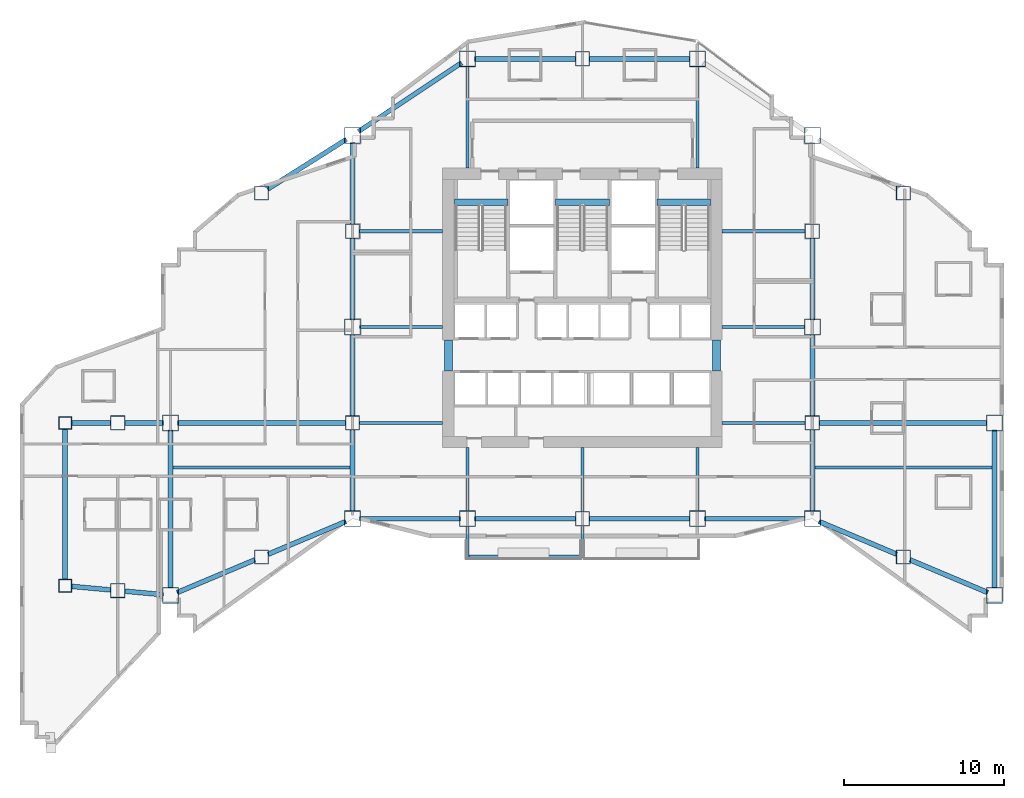
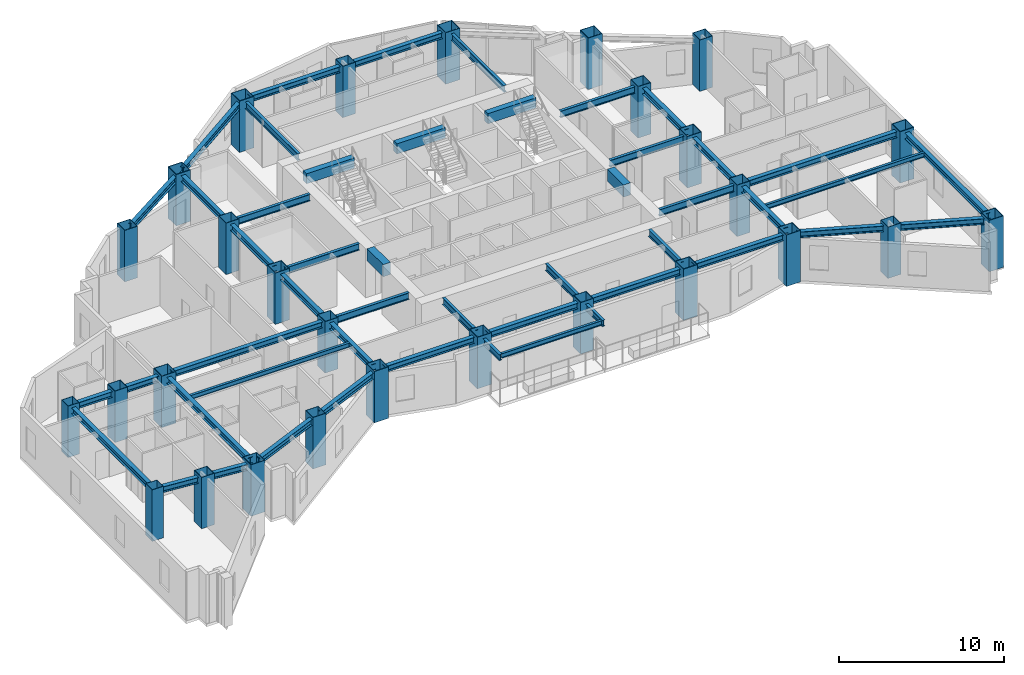
# One storey, part 1 of 14: 49 beams, 28 columns.
"""IFC4 building model written with IfcOpenShell, lengths in metres."""

from ifc_helpers import new_model, si_unit, direction, frame, origin, origin_2d, place, context, subcontext, project, spatial, rectangle, hollow_rectangle, i_section, extrude, material, material_profile, profile_set, type_object, element, save


model = new_model("IFC4")

# Units and contexts
model_context = context("Model", 3, precision=1e-05, world=origin(), true_north=direction((0.0, 1.0)))
body_context = subcontext(model_context, "Body", "Model", "MODEL_VIEW")
ifc_project = project(units=[si_unit("LENGTHUNIT", "METRE"), si_unit("AREAUNIT", "SQUARE_METRE"), si_unit("VOLUMEUNIT", "CUBIC_METRE"), si_unit("PLANEANGLEUNIT", "RADIAN"), si_unit("MASSUNIT", "GRAM", prefix="KILO")], contexts=[model_context])

# Site, building, storey
site_placement = place(None, origin())
site = spatial("IfcSite", under=ifc_project, at=site_placement, CompositionType="ELEMENT")
building_placement = place(site_placement, origin())
building = spatial("IfcBuilding", under=site, at=building_placement, Name="Haolan Belvedere Tower", CompositionType="ELEMENT")
storey_placement = place(building_placement, frame((0.0, 0.0, 98.39990234375)))
storey = spatial("IfcBuildingStorey", under=building, at=storey_placement, Name="L24", CompositionType="ELEMENT", Elevation=98.39990234375)

# Columns
ifc_material_1 = material(Name="Steel Q420GJC", Category="steel")
ifc_material_profile_1 = material_profile(ifc_material_1, hollow_rectangle(XDim=1.0, YDim=1.0, WallThickness=0.0380859375, at=origin_2d()), Name="Steel Q420GJC")
ifc_profile_set_1 = profile_set([ifc_material_profile_1], Name="Steel Q420GJC")
column_type_1 = type_object("IfcColumnType", Name="COL-BOX1000x1000x38", PredefinedType="COLUMN", material=ifc_profile_set_1)
for number, where, z_axis, x_axis, name in (
    (1, (24.0, 21.60009765625, 0.0), (0.0, 0.0, 1.0), (1.0, 0.0, 0.0), "L24 column MC-T3-SW (BOX1000x1000x38)"),
    (2, (24.0, 33.60009765625, 0.0), (0.0, 0.0, 1.0), (1.0, 0.0, 0.0), "L24 column MC-T3-MW (BOX1000x1000x38)"),
    (3, (24.0, 45.60009765625, 0.0), (0.0, 0.0, 1.0), (1.0, 0.0, 0.0), "L24 column MC-T3-NW (BOX1000x1000x38)"),
    (4, (52.800048828125, 21.60009765625, 0.0), (0.0, 0.0, 1.0), (1.0, 0.0, 0.0), "L24 column MC-T3-SE (BOX1000x1000x38)"),
    (5, (52.800048828125, 33.60009765625, 0.0), (0.0, 0.0, 1.0), (1.0, 0.0, 0.0), "L24 column MC-T3-ME (BOX1000x1000x38)"),
    (6, (52.800048828125, 45.60009765625, 0.0), (0.0, 0.0, 1.0), (1.0, 0.0, 0.0), "L24 column MC-T3-NE (BOX1000x1000x38)"),
    (7, (31.199951171875, 21.60009765625, 0.0), (0.0, 0.0, 1.0), (1.0, 0.0, 0.0), "L24 column MC-T3-S1 (BOX1000x1000x38)"),
    (8, (45.60009765625, 21.60009765625, 0.0), (0.0, 0.0, 1.0), (1.0, 0.0, 0.0), "L24 column MC-T3-S2 (BOX1000x1000x38)"),
    (9, (31.199951171875, 50.39990234375, 0.0), (0.0, 0.0, 1.0), (1.0, 0.0, 0.0), "L24 column MC-T3-N1 (BOX1000x1000x38)"),
    (10, (45.60009765625, 50.39990234375, 0.0), (0.0, 0.0, 1.0), (1.0, 0.0, 0.0), "L24 column MC-T3-N2 (BOX1000x1000x38)"),
    (11, (12.60009765625, 16.800048828125, 0.0), (0.0, 0.0, 1.0), (1.0, 0.0, 0.0), "L24 column MC-T2-SW (BOX1000x1000x38)"),
    (12, (12.60009765625, 27.60009765625, 0.0), (0.0, 0.0, 1.0), (1.0, 0.0, 0.0), "L24 column MC-T2-MW (BOX1000x1000x38)"),
    (13, (64.199951171875, 16.800048828125, 0.0), (0.0, 0.0, 1.0), (1.0, 0.0, 0.0), "L24 column MC-T4-SE (BOX1000x1000x38)"),
    (14, (64.199951171875, 27.60009765625, 0.0), (0.0, 0.0, 1.0), (1.0, 0.0, 0.0), "L24 column MC-T4-ME (BOX1000x1000x38)"),
):
    element("IfcColumn", number, at=place(storey_placement, frame(where, z_axis=z_axis, x_axis=x_axis)), inside=storey, type_object=column_type_1, Name=name, PredefinedType="COLUMN", context=body_context, shape_type="SweptSolid", body=[
        extrude(hollow_rectangle(XDim=1.0, YDim=1.0, WallThickness=0.0380859375, at=origin_2d()), origin(), (0.0, 0.0, 1.0), 3.800048828125),
    ])
ifc_material_2 = material(Name="Steel Q390GJC", Category="steel")
ifc_material_profile_2 = material_profile(ifc_material_2, hollow_rectangle(XDim=0.800048828125, YDim=0.800048828125, WallThickness=0.030029296875, at=origin_2d()), Name="Steel Q390GJC")
ifc_profile_set_2 = profile_set([ifc_material_profile_2], Name="Steel Q390GJC")
column_type_2 = type_object("IfcColumnType", Name="COL-BOX800x800x30", PredefinedType="COLUMN", material=ifc_profile_set_2)
for number, where, z_axis, x_axis, name in (
    (15, (6.0, 17.39990234375, 0.0), (0.0, 0.0, 1.0), (1.0, 0.0, 0.0), "L24 column MC-T1-SW (BOX800x800x30)"),
    (16, (6.0, 27.60009765625, 0.0), (0.0, 0.0, 1.0), (1.0, 0.0, 0.0), "L24 column MC-T1-NW (BOX800x800x30)"),
):
    element("IfcColumn", number, at=place(storey_placement, frame(where, z_axis=z_axis, x_axis=x_axis)), inside=storey, type_object=column_type_2, Name=name, PredefinedType="COLUMN", context=body_context, shape_type="SweptSolid", body=[
        extrude(hollow_rectangle(XDim=0.800048828125, YDim=0.800048828125, WallThickness=0.030029296875, at=origin_2d()), origin(), (0.0, 0.0, 1.0), 3.800048828125),
    ])
ifc_material_profile_3 = material_profile(ifc_material_2, hollow_rectangle(XDim=0.89990234375, YDim=0.89990234375, WallThickness=0.033935546875, at=origin_2d()), Name="Steel Q390GJC")
ifc_profile_set_3 = profile_set([ifc_material_profile_3], Name="Steel Q390GJC")
column_type_3 = type_object("IfcColumnType", Name="COL-BOX900x900x34", PredefinedType="COLUMN", material=ifc_profile_set_3)
for number, where, z_axis, x_axis, name in (
    (17, (24.0, 27.60009765625, 0.0), (0.0, 0.0, 1.0), (1.0, 0.0, 0.0), "L24 column TC-T3-W1 (BOX900x900x34)"),
    (18, (24.0, 39.60009765625, 0.0), (0.0, 0.0, 1.0), (1.0, 0.0, 0.0), "L24 column TC-T3-W2 (BOX900x900x34)"),
    (19, (52.800048828125, 27.60009765625, 0.0), (0.0, 0.0, 1.0), (1.0, 0.0, 0.0), "L24 column TC-T3-E1 (BOX900x900x34)"),
    (20, (52.800048828125, 39.60009765625, 0.0), (0.0, 0.0, 1.0), (1.0, 0.0, 0.0), "L24 column TC-T3-E2 (BOX900x900x34)"),
    (21, (38.39990234375, 21.60009765625, 0.0), (0.0, 0.0, 1.0), (1.0, 0.0, 0.0), "L24 column TC-T3-SM (BOX900x900x34)"),
    (22, (38.39990234375, 50.39990234375, 0.0), (0.0, 0.0, 1.0), (1.0, 0.0, 0.0), "L24 column TC-T3-NM (BOX900x900x34)"),
    (23, (18.300048828125, 19.199951171875, 0.0), (0.0, 0.0, 1.0), (1.0, 0.0, 0.0), "L24 column TC-T2-S1 (BOX900x900x34)"),
    (24, (18.300048828125, 42.0, 0.0), (0.0, 0.0, 1.0), (1.0, 0.0, 0.0), "L24 column TC-T2-N1 (BOX900x900x34)"),
    (25, (58.5, 19.199951171875, 0.0), (0.0, 0.0, 1.0), (1.0, 0.0, 0.0), "L24 column TC-T4-S1 (BOX900x900x34)"),
    (26, (58.5, 42.0, 0.0), (0.0, 0.0, 1.0), (1.0, 0.0, 0.0), "L24 column TC-T4-N1 (BOX900x900x34)"),
    (27, (9.300048828125, 17.10009765625, 0.0), (0.0, 0.0, 1.0), (1.0, 0.0, 0.0), "L24 column TC-T1-M1 (BOX900x900x34)"),
    (28, (9.300048828125, 27.60009765625, 0.0), (0.0, 0.0, 1.0), (1.0, 0.0, 0.0), "L24 column TC-T1-M2 (BOX900x900x34)"),
):
    element("IfcColumn", number, at=place(storey_placement, frame(where, z_axis=z_axis, x_axis=x_axis)), inside=storey, type_object=column_type_3, Name=name, PredefinedType="COLUMN", context=body_context, shape_type="SweptSolid", body=[
        extrude(hollow_rectangle(XDim=0.89990234375, YDim=0.89990234375, WallThickness=0.033935546875, at=origin_2d()), origin(), (0.0, 0.0, 1.0), 3.800048828125),
    ])

# Beams
ifc_material_3 = material(Name="Steel Q355B", Category="steel")
ifc_material_profile_4 = material_profile(ifc_material_3, i_section(OverallWidth=0.300048828125, OverallDepth=0.43994140625, WebThickness=0.010986328125, FlangeThickness=0.01806640625, FilletRadius=0.02392578125, at=origin_2d()), Name="Steel Q355B")
ifc_profile_set_4 = profile_set([ifc_material_profile_4], Name="Steel Q355B")
beam_type_1 = type_object("IfcBeamType", Name="BM-HM440x300x11x18", PredefinedType="SPANDREL", material=ifc_profile_set_4)
for number, where, z_axis, x_axis, name in (
    (29, (24.0, 22.050048828125, 3.380126953125), (0.0, 1.0, 0.0), (-1.0, 0.0, 0.0), "L24 spandrel girder MC-T3-SW-TC-T3-W1"),
    (30, (24.0, 28.050048828125, 3.380126953125), (0.0, 1.0, 0.0), (-1.0, 0.0, 0.0), "L24 spandrel girder TC-T3-W1-MC-T3-MW"),
    (31, (24.0, 34.050048828125, 3.380126953125), (0.0, 1.0, 0.0), (-1.0, 0.0, 0.0), "L24 spandrel girder MC-T3-MW-TC-T3-W2"),
    (32, (24.0, 40.050048828125, 3.380126953125), (0.0, 1.0, 0.0), (-1.0, 0.0, 0.0), "L24 spandrel girder TC-T3-W2-MC-T3-NW"),
    (33, (52.800048828125, 22.050048828125, 3.380126953125), (0.0, 1.0, 0.0), (-1.0, 0.0, 0.0), "L24 spandrel girder MC-T3-SE-TC-T3-E1"),
    (34, (52.800048828125, 28.050048828125, 3.380126953125), (0.0, 1.0, 0.0), (-1.0, 0.0, 0.0), "L24 spandrel girder TC-T3-E1-MC-T3-ME"),
    (35, (52.800048828125, 34.050048828125, 3.380126953125), (0.0, 1.0, 0.0), (-1.0, 0.0, 0.0), "L24 spandrel girder MC-T3-ME-TC-T3-E2"),
):
    element("IfcBeam", number, at=place(storey_placement, frame(where, z_axis=z_axis, x_axis=x_axis)), inside=storey, type_object=beam_type_1, Name=name, PredefinedType="SPANDREL", context=body_context, shape_type="SweptSolid", body=[
        extrude(i_section(OverallWidth=0.300048828125, OverallDepth=0.43994140625, WebThickness=0.010986328125, FlangeThickness=0.01806640625, FilletRadius=0.02392578125, at=origin_2d()), origin(), (0.0, 0.0, 1.0), 5.099853515625),
    ])
for number, where, z_axis, x_axis, name in (
    (36, (24.449951171875, 21.60009765625, 3.380126953125), (1.0, 0.0, 0.0), (0.0, 1.0, 0.0), "L24 spandrel girder MC-T3-SW-MC-T3-S1"),
    (37, (31.64990234375, 21.60009765625, 3.380126953125), (1.0, 0.0, 0.0), (0.0, 1.0, 0.0), "L24 spandrel girder MC-T3-S1-TC-T3-SM"),
):
    element("IfcBeam", number, at=place(storey_placement, frame(where, z_axis=z_axis, x_axis=x_axis)), inside=storey, type_object=beam_type_1, Name=name, PredefinedType="SPANDREL", context=body_context, shape_type="SweptSolid", body=[
        extrude(i_section(OverallWidth=0.300048828125, OverallDepth=0.43994140625, WebThickness=0.010986328125, FlangeThickness=0.01806640625, FilletRadius=0.02392578125, at=origin_2d()), origin(), (0.0, 0.0, 1.0), 6.300048828125),
    ])
beam_1_placement = place(storey_placement, frame((38.85009765625, 21.60009765625, 3.380126953125), z_axis=(1.0, 0.0, 0.0), x_axis=(0.0, 1.0, 0.0)))
element("IfcBeam", 38, at=beam_1_placement, inside=storey, type_object=beam_type_1, Name="L24 spandrel girder TC-T3-SM-MC-T3-S2", PredefinedType="SPANDREL", context=body_context, shape_type="SweptSolid", body=[
    extrude(i_section(OverallWidth=0.300048828125, OverallDepth=0.43994140625, WebThickness=0.010986328125, FlangeThickness=0.01806640625, FilletRadius=0.02392578125, at=origin_2d()), origin(), (0.0, 0.0, 1.0), 6.2998046875),
])
beam_2_placement = place(storey_placement, frame((46.050048828125, 21.60009765625, 3.380126953125), z_axis=(1.0, 0.0, 0.0), x_axis=(0.0, 1.0, 0.0)))
element("IfcBeam", 39, at=beam_2_placement, inside=storey, type_object=beam_type_1, Name="L24 spandrel girder MC-T3-S2-MC-T3-SE", PredefinedType="SPANDREL", context=body_context, shape_type="SweptSolid", body=[
    extrude(i_section(OverallWidth=0.300048828125, OverallDepth=0.43994140625, WebThickness=0.010986328125, FlangeThickness=0.01806640625, FilletRadius=0.02392578125, at=origin_2d()), origin(), (0.0, 0.0, 1.0), 6.300048828125),
])
beam_3_placement = place(storey_placement, frame((24.37451171875, 45.849609375, 3.380126953125), z_axis=(0.832050294338, 0.554700196225, 0.0), x_axis=(-0.554700196225, 0.832050294338, 0.0)))
element("IfcBeam", 40, at=beam_3_placement, inside=storey, type_object=beam_type_1, Name="L24 spandrel girder MC-T3-NW-MC-T3-N1", PredefinedType="SPANDREL", context=body_context, shape_type="SweptSolid", body=[
    extrude(i_section(OverallWidth=0.300048828125, OverallDepth=0.43994140625, WebThickness=0.010986328125, FlangeThickness=0.01806640625, FilletRadius=0.02392578125, at=origin_2d()), origin(), (0.0, 0.0, 1.0), 7.75341796875),
])
beam_4_placement = place(storey_placement, frame((31.64990234375, 50.39990234375, 3.380126953125), z_axis=(1.0, 0.0, 0.0), x_axis=(0.0, 1.0, 0.0)))
element("IfcBeam", 41, at=beam_4_placement, inside=storey, type_object=beam_type_1, Name="L24 spandrel girder MC-T3-N1-TC-T3-NM", PredefinedType="SPANDREL", context=body_context, shape_type="SweptSolid", body=[
    extrude(i_section(OverallWidth=0.300048828125, OverallDepth=0.43994140625, WebThickness=0.010986328125, FlangeThickness=0.01806640625, FilletRadius=0.02392578125, at=origin_2d()), origin(), (0.0, 0.0, 1.0), 6.300048828125),
])
beam_5_placement = place(storey_placement, frame((38.85009765625, 50.39990234375, 3.380126953125), z_axis=(1.0, 0.0, 0.0), x_axis=(0.0, 1.0, 0.0)))
element("IfcBeam", 42, at=beam_5_placement, inside=storey, type_object=beam_type_1, Name="L24 spandrel girder TC-T3-NM-MC-T3-N2", PredefinedType="SPANDREL", context=body_context, shape_type="SweptSolid", body=[
    extrude(i_section(OverallWidth=0.300048828125, OverallDepth=0.43994140625, WebThickness=0.010986328125, FlangeThickness=0.01806640625, FilletRadius=0.02392578125, at=origin_2d()), origin(), (0.0, 0.0, 1.0), 6.2998046875),
])
beam_6_placement = place(storey_placement, frame((12.60009765625, 17.25, 3.380126953125), z_axis=(0.0, 1.0, 0.0), x_axis=(-1.0, 0.0, 0.0)))
element("IfcBeam", 43, at=beam_6_placement, inside=storey, type_object=beam_type_1, Name="L24 spandrel girder MC-T2-SW-MC-T2-MW", PredefinedType="SPANDREL", context=body_context, shape_type="SweptSolid", body=[
    extrude(i_section(OverallWidth=0.300048828125, OverallDepth=0.43994140625, WebThickness=0.010986328125, FlangeThickness=0.01806640625, FilletRadius=0.02392578125, at=origin_2d()), origin(), (0.0, 0.0, 1.0), 9.89990234375),
])
beam_7_placement = place(storey_placement, frame((13.0146484375, 16.974609375, 3.380126953125), z_axis=(0.921635375138, 0.388057000058, 0.0), x_axis=(-0.388057000058, 0.921635375138, 0.0)))
element("IfcBeam", 44, at=beam_7_placement, inside=storey, type_object=beam_type_1, Name="L24 spandrel girder MC-T2-SW-TC-T2-S1", PredefinedType="SPANDREL", context=body_context, shape_type="SweptSolid", body=[
    extrude(i_section(OverallWidth=0.300048828125, OverallDepth=0.43994140625, WebThickness=0.010986328125, FlangeThickness=0.01806640625, FilletRadius=0.02392578125, at=origin_2d()), origin(), (0.0, 0.0, 1.0), 5.28466796875),
])
beam_8_placement = place(storey_placement, frame((18.71484375, 19.37451171875, 3.380126953125), z_axis=(0.92162841793, 0.388073523014, 0.0), x_axis=(-0.388073523014, 0.92162841793, 0.0)))
element("IfcBeam", 45, at=beam_8_placement, inside=storey, type_object=beam_type_1, Name="L24 spandrel girder TC-T2-S1-MC-T3-SW", PredefinedType="SPANDREL", context=body_context, shape_type="SweptSolid", body=[
    extrude(i_section(OverallWidth=0.300048828125, OverallDepth=0.43994140625, WebThickness=0.010986328125, FlangeThickness=0.01806640625, FilletRadius=0.02392578125, at=origin_2d()), origin(), (0.0, 0.0, 1.0), 5.284423828125),
])
beam_9_placement = place(storey_placement, frame((18.680419921875, 42.240234375, 3.380126953125), z_axis=(0.845497840649, 0.533978839898, 0.0), x_axis=(-0.533978839898, 0.845497840649, 0.0)))
element("IfcBeam", 46, at=beam_9_placement, inside=storey, type_object=beam_type_1, Name="L24 spandrel girder TC-T2-N1-MC-T3-NW", PredefinedType="SPANDREL", context=body_context, shape_type="SweptSolid", body=[
    extrude(i_section(OverallWidth=0.300048828125, OverallDepth=0.43994140625, WebThickness=0.010986328125, FlangeThickness=0.01806640625, FilletRadius=0.02392578125, at=origin_2d()), origin(), (0.0, 0.0, 1.0), 5.841796875),
])
beam_10_placement = place(storey_placement, frame((13.050048828125, 27.60009765625, 3.380126953125), z_axis=(1.0, 0.0, 0.0), x_axis=(0.0, 1.0, 0.0)))
element("IfcBeam", 47, at=beam_10_placement, inside=storey, type_object=beam_type_1, Name="L24 spandrel girder MC-T2-MW-TC-T3-W1", PredefinedType="SPANDREL", context=body_context, shape_type="SweptSolid", body=[
    extrude(i_section(OverallWidth=0.300048828125, OverallDepth=0.43994140625, WebThickness=0.010986328125, FlangeThickness=0.01806640625, FilletRadius=0.02392578125, at=origin_2d()), origin(), (0.0, 0.0, 1.0), 10.5),
])
beam_11_placement = place(storey_placement, frame((64.199951171875, 17.25, 3.380126953125), z_axis=(0.0, 1.0, 0.0), x_axis=(-1.0, 0.0, 0.0)))
element("IfcBeam", 48, at=beam_11_placement, inside=storey, type_object=beam_type_1, Name="L24 spandrel girder MC-T4-SE-MC-T4-ME", PredefinedType="SPANDREL", context=body_context, shape_type="SweptSolid", body=[
    extrude(i_section(OverallWidth=0.300048828125, OverallDepth=0.43994140625, WebThickness=0.010986328125, FlangeThickness=0.01806640625, FilletRadius=0.02392578125, at=origin_2d()), origin(), (0.0, 0.0, 1.0), 9.89990234375),
])
for number, where, z_axis, x_axis, name in (
    (49, (53.21484375, 21.42529296875, 3.380126953125), (0.92162841793, -0.388073523014, 0.0), (0.388073523014, 0.92162841793, 0.0), "L24 spandrel girder MC-T3-SE-TC-T4-S1"),
    (50, (58.914794921875, 19.025390625, 3.380126953125), (0.92162841793, -0.388073523014, 0.0), (0.388073523014, 0.92162841793, 0.0), "L24 spandrel girder TC-T4-S1-MC-T4-SE"),
):
    element("IfcBeam", number, at=place(storey_placement, frame(where, z_axis=z_axis, x_axis=x_axis)), inside=storey, type_object=beam_type_1, Name=name, PredefinedType="SPANDREL", context=body_context, shape_type="SweptSolid", body=[
        extrude(i_section(OverallWidth=0.300048828125, OverallDepth=0.43994140625, WebThickness=0.010986328125, FlangeThickness=0.01806640625, FilletRadius=0.02392578125, at=origin_2d()), origin(), (0.0, 0.0, 1.0), 5.284423828125),
    ])
beam_12_placement = place(storey_placement, frame((53.25, 27.60009765625, 3.380126953125), z_axis=(1.0, 0.0, 0.0), x_axis=(0.0, 1.0, 0.0)))
element("IfcBeam", 51, at=beam_12_placement, inside=storey, type_object=beam_type_1, Name="L24 spandrel girder TC-T3-E1-MC-T4-ME", PredefinedType="SPANDREL", context=body_context, shape_type="SweptSolid", body=[
    extrude(i_section(OverallWidth=0.300048828125, OverallDepth=0.43994140625, WebThickness=0.010986328125, FlangeThickness=0.01806640625, FilletRadius=0.02392578125, at=origin_2d()), origin(), (0.0, 0.0, 1.0), 10.5),
])
beam_13_placement = place(storey_placement, frame((6.0, 17.800048828125, 3.380126953125), z_axis=(0.0, 1.0, 0.0), x_axis=(-1.0, 0.0, 0.0)))
element("IfcBeam", 52, at=beam_13_placement, inside=storey, type_object=beam_type_1, Name="L24 spandrel girder MC-T1-SW-MC-T1-NW", PredefinedType="SPANDREL", context=body_context, shape_type="SweptSolid", body=[
    extrude(i_section(OverallWidth=0.300048828125, OverallDepth=0.43994140625, WebThickness=0.010986328125, FlangeThickness=0.01806640625, FilletRadius=0.02392578125, at=origin_2d()), origin(), (0.0, 0.0, 1.0), 9.39990234375),
])
beam_14_placement = place(storey_placement, frame((6.3984375, 17.36376953125, 3.380126953125), z_axis=(0.995889143855, -0.090580423672, 0.0), x_axis=(0.090580423672, 0.995889143855, 0.0)))
element("IfcBeam", 53, at=beam_14_placement, inside=storey, type_object=beam_type_1, Name="L24 spandrel girder MC-T1-SW-TC-T1-M1", PredefinedType="SPANDREL", context=body_context, shape_type="SweptSolid", body=[
    extrude(i_section(OverallWidth=0.300048828125, OverallDepth=0.43994140625, WebThickness=0.010986328125, FlangeThickness=0.01806640625, FilletRadius=0.02392578125, at=origin_2d()), origin(), (0.0, 0.0, 1.0), 2.46337890625),
])
beam_15_placement = place(storey_placement, frame((9.748046875, 17.059326171875, 3.380126953125), z_axis=(0.9958940355, -0.090526626221, 0.0), x_axis=(0.090526626221, 0.9958940355, 0.0)))
element("IfcBeam", 54, at=beam_15_placement, inside=storey, type_object=beam_type_1, Name="L24 spandrel girder TC-T1-M1-MC-T2-SW", PredefinedType="SPANDREL", context=body_context, shape_type="SweptSolid", body=[
    extrude(i_section(OverallWidth=0.300048828125, OverallDepth=0.43994140625, WebThickness=0.010986328125, FlangeThickness=0.01806640625, FilletRadius=0.02392578125, at=origin_2d()), origin(), (0.0, 0.0, 1.0), 2.413818359375),
])
beam_16_placement = place(storey_placement, frame((6.39990234375, 27.60009765625, 3.380126953125), z_axis=(1.0, 0.0, 0.0), x_axis=(0.0, 1.0, 0.0)))
element("IfcBeam", 55, at=beam_16_placement, inside=storey, type_object=beam_type_1, Name="L24 spandrel girder MC-T1-NW-TC-T1-M2", PredefinedType="SPANDREL", context=body_context, shape_type="SweptSolid", body=[
    extrude(i_section(OverallWidth=0.300048828125, OverallDepth=0.43994140625, WebThickness=0.010986328125, FlangeThickness=0.01806640625, FilletRadius=0.02392578125, at=origin_2d()), origin(), (0.0, 0.0, 1.0), 2.4501953125),
])
beam_17_placement = place(storey_placement, frame((9.75, 27.60009765625, 3.380126953125), z_axis=(1.0, 0.0, 0.0), x_axis=(0.0, 1.0, 0.0)))
element("IfcBeam", 56, at=beam_17_placement, inside=storey, type_object=beam_type_1, Name="L24 spandrel girder TC-T1-M2-MC-T2-MW", PredefinedType="SPANDREL", context=body_context, shape_type="SweptSolid", body=[
    extrude(i_section(OverallWidth=0.300048828125, OverallDepth=0.43994140625, WebThickness=0.010986328125, FlangeThickness=0.01806640625, FilletRadius=0.02392578125, at=origin_2d()), origin(), (0.0, 0.0, 1.0), 2.39990234375),
])
ifc_material_profile_5 = material_profile(ifc_material_3, i_section(OverallWidth=0.175048828125, OverallDepth=0.35009765625, WebThickness=0.007080078125, FlangeThickness=0.010986328125, FilletRadius=0.012939453125, at=origin_2d()), Name="Steel Q355B")
ifc_profile_set_5 = profile_set([ifc_material_profile_5], Name="Steel Q355B")
beam_type_2 = type_object("IfcBeamType", Name="BM-HN350x175x7x11", PredefinedType="JOIST", material=ifc_profile_set_5)
for number, where, z_axis, x_axis, name in (
    (57, (12.75, 24.800048828125, 3.425048828125), (1.0, 0.0, 0.0), (0.0, 1.0, 0.0), "L24 west wing floor joist 1"),
    (58, (52.949951171875, 24.800048828125, 3.425048828125), (1.0, 0.0, 0.0), (0.0, 1.0, 0.0), "L24 east wing floor joist 1"),
):
    element("IfcBeam", number, at=place(storey_placement, frame(where, z_axis=z_axis, x_axis=x_axis)), inside=storey, type_object=beam_type_2, Name=name, PredefinedType="JOIST", context=body_context, shape_type="SweptSolid", body=[
        extrude(i_section(OverallWidth=0.175048828125, OverallDepth=0.35009765625, WebThickness=0.007080078125, FlangeThickness=0.010986328125, FilletRadius=0.012939453125, at=origin_2d()), origin(), (0.0, 0.0, 1.0), 11.10009765625),
    ])
beam_18_placement = place(storey_placement, frame((31.300048828125, 19.239990234375, 3.39501953125), z_axis=(1.0, 0.0, 0.0), x_axis=(0.0, 1.0, 0.0)))
element("IfcBeam", 59, at=beam_18_placement, inside=storey, type_object=beam_type_2, Name="L25 tree-balcony front trimmer beam 1", PredefinedType="BEAM", context=body_context, shape_type="SweptSolid", body=[
    extrude(i_section(OverallWidth=0.175048828125, OverallDepth=0.35009765625, WebThickness=0.007080078125, FlangeThickness=0.010986328125, FilletRadius=0.012939453125, at=origin_2d()), origin(), (0.0, 0.0, 1.0), 7.0),
])
ifc_material_profile_6 = material_profile(ifc_material_3, i_section(OverallWidth=0.199951171875, OverallDepth=0.449951171875, WebThickness=0.009033203125, FlangeThickness=0.013916015625, FilletRadius=0.01611328125, at=origin_2d()), Name="Steel Q355B")
ifc_profile_set_6 = profile_set([ifc_material_profile_6], Name="Steel Q355B")
beam_type_3 = type_object("IfcBeamType", Name="BM-HN450x200x9x14", PredefinedType="BEAM", material=ifc_profile_set_6)
beam_19_placement = place(storey_placement, frame((31.199951171875, 21.10009765625, 3.34521484375), z_axis=(0.0, -1.0, 0.0), x_axis=(1.0, 0.0, 0.0)))
element("IfcBeam", 60, at=beam_19_placement, inside=storey, type_object=beam_type_3, Name="L25 tree-balcony column cantilever MC-T3-S1", PredefinedType="BEAM", context=body_context, shape_type="SweptSolid", body=[
    extrude(i_section(OverallWidth=0.199951171875, OverallDepth=0.449951171875, WebThickness=0.009033203125, FlangeThickness=0.013916015625, FilletRadius=0.01611328125, at=origin_2d()), origin(), (0.0, 0.0, 1.0), 1.960205078125),
])
beam_20_placement = place(storey_placement, frame((38.39990234375, 21.14990234375, 3.34521484375), z_axis=(0.0, -1.0, 0.0), x_axis=(1.0, 0.0, 0.0)))
element("IfcBeam", 61, at=beam_20_placement, inside=storey, type_object=beam_type_3, Name="L25 tree-balcony column cantilever TC-T3-SM", PredefinedType="BEAM", context=body_context, shape_type="SweptSolid", body=[
    extrude(i_section(OverallWidth=0.199951171875, OverallDepth=0.449951171875, WebThickness=0.009033203125, FlangeThickness=0.013916015625, FilletRadius=0.01611328125, at=origin_2d()), origin(), (0.0, 0.0, 1.0), 2.010009765625),
])
ifc_material_profile_7 = material_profile(ifc_material_3, i_section(OverallWidth=0.199951171875, OverallDepth=0.5, WebThickness=0.010009765625, FlangeThickness=0.01611328125, FilletRadius=0.02001953125, at=origin_2d()), Name="Steel Q355B")
ifc_profile_set_7 = profile_set([ifc_material_profile_7], Name="Steel Q355B")
beam_type_4 = type_object("IfcBeamType", Name="BM-HN500x200x10x16", PredefinedType="BEAM", material=ifc_profile_set_7)
for number, where, z_axis, x_axis, name in (
    (62, (24.449951171875, 33.60009765625, 3.35009765625), (1.0, 0.0, 0.0), (0.0, 1.0, 0.0), "L24 core tie beam from MC-T3-MW"),
    (63, (24.449951171875, 27.60009765625, 3.35009765625), (1.0, 0.0, 0.0), (0.0, 1.0, 0.0), "L24 core tie beam from TC-T3-W1"),
    (64, (24.449951171875, 39.60009765625, 3.35009765625), (1.0, 0.0, 0.0), (0.0, 1.0, 0.0), "L24 core tie beam from TC-T3-W2"),
):
    element("IfcBeam", number, at=place(storey_placement, frame(where, z_axis=z_axis, x_axis=x_axis)), inside=storey, type_object=beam_type_4, Name=name, PredefinedType="BEAM", context=body_context, shape_type="SweptSolid", body=[
        extrude(i_section(OverallWidth=0.199951171875, OverallDepth=0.5, WebThickness=0.010009765625, FlangeThickness=0.01611328125, FilletRadius=0.02001953125, at=origin_2d()), origin(), (0.0, 0.0, 1.0), 5.199951171875),
    ])
for number, where, z_axis, x_axis, name in (
    (65, (52.35009765625, 33.60009765625, 3.35009765625), (-1.0, 0.0, 0.0), (0.0, -1.0, 0.0), "L24 core tie beam from MC-T3-ME"),
    (66, (52.35009765625, 27.60009765625, 3.35009765625), (-1.0, 0.0, 0.0), (0.0, -1.0, 0.0), "L24 core tie beam from TC-T3-E1"),
    (67, (52.35009765625, 39.60009765625, 3.35009765625), (-1.0, 0.0, 0.0), (0.0, -1.0, 0.0), "L24 core tie beam from TC-T3-E2"),
):
    element("IfcBeam", number, at=place(storey_placement, frame(where, z_axis=z_axis, x_axis=x_axis)), inside=storey, type_object=beam_type_4, Name=name, PredefinedType="BEAM", context=body_context, shape_type="SweptSolid", body=[
        extrude(i_section(OverallWidth=0.199951171875, OverallDepth=0.5, WebThickness=0.010009765625, FlangeThickness=0.01611328125, FilletRadius=0.02001953125, at=origin_2d()), origin(), (0.0, 0.0, 1.0), 5.2001953125),
    ])
for number, where, z_axis, x_axis, name in (
    (68, (31.199951171875, 22.050048828125, 3.35009765625), (0.0, 1.0, 0.0), (-1.0, 0.0, 0.0), "L24 core tie beam from MC-T3-S1"),
    (69, (38.39990234375, 22.050048828125, 3.35009765625), (0.0, 1.0, 0.0), (-1.0, 0.0, 0.0), "L24 core tie beam from TC-T3-SM"),
    (70, (45.60009765625, 22.050048828125, 3.35009765625), (0.0, 1.0, 0.0), (-1.0, 0.0, 0.0), "L24 core tie beam from MC-T3-S2"),
):
    element("IfcBeam", number, at=place(storey_placement, frame(where, z_axis=z_axis, x_axis=x_axis)), inside=storey, type_object=beam_type_4, Name=name, PredefinedType="BEAM", context=body_context, shape_type="SweptSolid", body=[
        extrude(i_section(OverallWidth=0.199951171875, OverallDepth=0.5, WebThickness=0.010009765625, FlangeThickness=0.01611328125, FilletRadius=0.02001953125, at=origin_2d()), origin(), (0.0, 0.0, 1.0), 4.0),
    ])
for number, where, z_axis, x_axis, name in (
    (71, (31.199951171875, 49.949951171875, 3.35009765625), (0.0, -1.0, 0.0), (1.0, 0.0, 0.0), "L24 core tie beam from MC-T3-N1"),
    (72, (45.60009765625, 49.949951171875, 3.35009765625), (0.0, -1.0, 0.0), (1.0, 0.0, 0.0), "L24 core tie beam from MC-T3-N2"),
):
    element("IfcBeam", number, at=place(storey_placement, frame(where, z_axis=z_axis, x_axis=x_axis)), inside=storey, type_object=beam_type_4, Name=name, PredefinedType="BEAM", context=body_context, shape_type="SweptSolid", body=[
        extrude(i_section(OverallWidth=0.199951171875, OverallDepth=0.5, WebThickness=0.010009765625, FlangeThickness=0.01611328125, FilletRadius=0.02001953125, at=origin_2d()), origin(), (0.0, 0.0, 1.0), 6.39990234375),
    ])
ifc_material_4 = material(Name="Concrete C50/60", Category="concrete")
ifc_material_profile_8 = material_profile(ifc_material_4, rectangle(XDim=0.39990234375, YDim=0.75, at=origin_2d()), Name="Concrete C50/60")
ifc_profile_set_8 = profile_set([ifc_material_profile_8], Name="Concrete C50/60")
beam_type_5 = type_object("IfcBeamType", Name="BM-RC400x750", PredefinedType="T_BEAM", material=ifc_profile_set_8)
beam_21_placement = place(storey_placement, frame((30.3798828125, 41.429931640625, 3.425048828125), z_axis=(1.0, 0.0, 0.0), x_axis=(0.0, 1.0, 0.0)))
element("IfcBeam", 73, at=beam_21_placement, inside=storey, type_object=beam_type_5, Name="L25 stair ST1 RC header trimmer beam", PredefinedType="BEAM", context=body_context, shape_type="SweptSolid", body=[
    extrude(rectangle(XDim=0.39990234375, YDim=0.75, at=origin_2d()), origin(), (0.0, 0.0, 1.0), 3.360107421875),
])
beam_22_placement = place(storey_placement, frame((36.699951171875, 41.429931640625, 3.425048828125), z_axis=(1.0, 0.0, 0.0), x_axis=(0.0, 1.0, 0.0)))
element("IfcBeam", 74, at=beam_22_placement, inside=storey, type_object=beam_type_5, Name="L25 stair ST3 RC header trimmer beam", PredefinedType="BEAM", context=body_context, shape_type="SweptSolid", body=[
    extrude(rectangle(XDim=0.39990234375, YDim=0.75, at=origin_2d()), origin(), (0.0, 0.0, 1.0), 3.400146484375),
])
beam_23_placement = place(storey_placement, frame((43.06005859375, 41.429931640625, 3.425048828125), z_axis=(1.0, 0.0, 0.0), x_axis=(0.0, 1.0, 0.0)))
element("IfcBeam", 75, at=beam_23_placement, inside=storey, type_object=beam_type_5, Name="L25 stair ST2 RC header trimmer beam", PredefinedType="BEAM", context=body_context, shape_type="SweptSolid", body=[
    extrude(rectangle(XDim=0.39990234375, YDim=0.75, at=origin_2d()), origin(), (0.0, 0.0, 1.0), 3.35986328125),
])
ifc_material_5 = material(Name="Concrete C60/75", Category="concrete")
ifc_material_profile_9 = material_profile(ifc_material_5, rectangle(XDim=0.5, YDim=0.89990234375, at=origin_2d()), Name="Concrete C60/75")
ifc_profile_set_9 = profile_set([ifc_material_profile_9], Name="Concrete C60/75")
beam_type_6 = type_object("IfcBeamType", Name="BM-RC500x900", PredefinedType="LINTEL", material=ifc_profile_set_9)
for number, where, z_axis, x_axis, name in (
    (76, (30.0, 30.85009765625, 3.150146484375), (0.0, 1.0, 0.0), (-1.0, 0.0, 0.0), "L24 west core coupling beam CB-01"),
    (77, (46.800048828125, 30.85009765625, 3.150146484375), (0.0, 1.0, 0.0), (-1.0, 0.0, 0.0), "L24 east core coupling beam CB-01"),
):
    element("IfcBeam", number, at=place(storey_placement, frame(where, z_axis=z_axis, x_axis=x_axis)), inside=storey, type_object=beam_type_6, Name=name, PredefinedType="LINTEL", context=body_context, shape_type="SweptSolid", body=[
        extrude(rectangle(XDim=0.5, YDim=0.89990234375, at=origin_2d()), origin(), (0.0, 0.0, 1.0), 1.949951171875),
    ])

save(model, "model.ifc")
